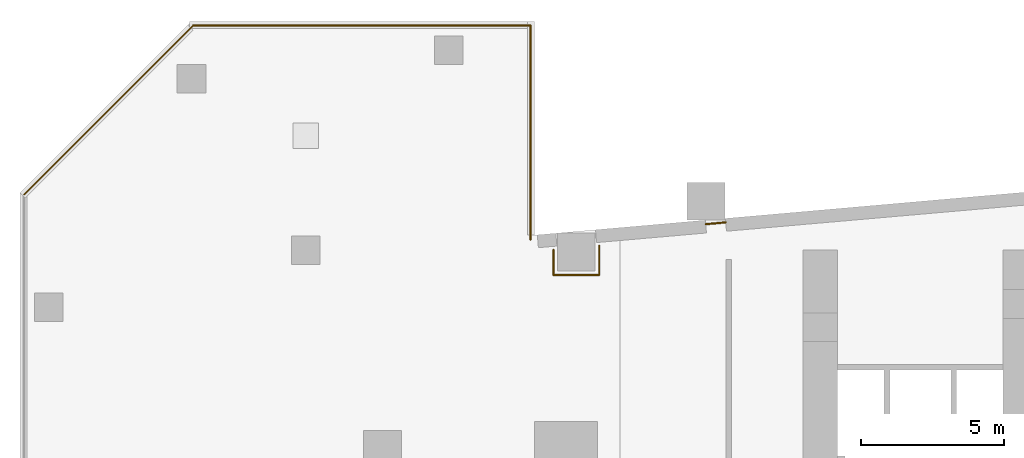
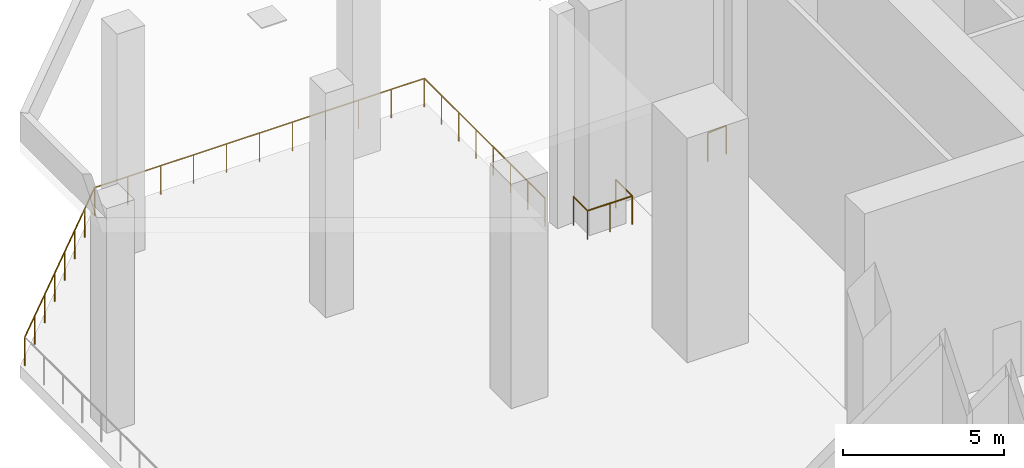
# One storey, part 31 of 33: 7 railings.
"""IFC4 building model written with IfcOpenShell, lengths in metres."""

from ifc_helpers import new_model, si_unit, direction, frame, origin, origin_2d, place, context, subcontext, project, spatial, circle, extrude, material, type_object, element, save


model = new_model("IFC4")

# Units and contexts
model_context = context("Model", 3, precision=1e-05, world=origin(), true_north=direction((0.0, 1.0)))
body_context = subcontext(model_context, "Body", "Model", "MODEL_VIEW")
ifc_project = project(units=[si_unit("LENGTHUNIT", "METRE"), si_unit("AREAUNIT", "SQUARE_METRE"), si_unit("VOLUMEUNIT", "CUBIC_METRE"), si_unit("PLANEANGLEUNIT", "RADIAN"), si_unit("MASSUNIT", "GRAM", prefix="KILO")], contexts=[model_context])

# Site, building, storey
site_placement = place(None, origin())
site = spatial("IfcSite", under=ifc_project, at=site_placement, CompositionType="ELEMENT")
building_placement = place(site_placement, origin())
building = spatial("IfcBuilding", under=site, at=building_placement, Name="Wharfspan Tower", CompositionType="ELEMENT")
storey_placement = place(building_placement, frame((0.0, 0.0, 33.0)))
storey = spatial("IfcBuildingStorey", under=building, at=storey_placement, Name="L05", CompositionType="ELEMENT", Elevation=33.0)

# Railings
ifc_material = material(Name="Steel S355J2", Category="steel")
railing_type = type_object("IfcRailingType", Name="GUARD 1100 STEEL AND GLASS", PredefinedType="GUARDRAIL", material=ifc_material)
railing_1_placement = place(storey_placement, frame((-11.860107, 49.941895, 0.0)))
element("IfcRailing", 1, at=railing_1_placement, inside=storey, type_object=railing_type, Name="Guard on the deck edge", PredefinedType="GUARDRAIL", context=body_context, shape_type="SweptSolid", body=[
    extrude(circle(Radius=0.024902, at=origin_2d()), frame((0.0, 0.0, 1.075195), z_axis=(0.707107, 0.707107, 0.0), x_axis=(-0.707107, 0.707107, 0.0)), (0.0, 0.0, 1.0), 8.369629),
    extrude(circle(Radius=0.02002, at=origin_2d()), origin(), (0.0, 0.0, 1.0), 1.050049),
    extrude(circle(Radius=0.02002, at=origin_2d()), frame((0.845459, 0.845459, 0.0)), (0.0, 0.0, 1.0), 1.050049),
    extrude(circle(Radius=0.02002, at=origin_2d()), frame((1.690918, 1.690918, 0.0)), (0.0, 0.0, 1.0), 1.050049),
    extrude(circle(Radius=0.02002, at=origin_2d()), frame((2.536377, 2.536377, 0.0)), (0.0, 0.0, 1.0), 1.050049),
    extrude(circle(Radius=0.02002, at=origin_2d()), frame((3.381836, 3.381836, 0.0)), (0.0, 0.0, 1.0), 1.050049),
    extrude(circle(Radius=0.02002, at=origin_2d()), frame((4.227295, 4.227295, 0.0)), (0.0, 0.0, 1.0), 1.050049),
    extrude(circle(Radius=0.02002, at=origin_2d()), frame((5.072754, 5.072754, 0.0)), (0.0, 0.0, 1.0), 1.050049),
    extrude(circle(Radius=0.02002, at=origin_2d()), frame((5.918213, 5.918213, 0.0)), (0.0, 0.0, 1.0), 1.050049),
])
railing_2_placement = place(storey_placement, frame((-5.941895, 55.860107, 0.0)))
element("IfcRailing", 2, at=railing_2_placement, inside=storey, type_object=railing_type, Name="Guard on the deck edge", PredefinedType="GUARDRAIL", context=body_context, shape_type="SweptSolid", body=[
    extrude(circle(Radius=0.024902, at=origin_2d()), frame((0.0, 0.0, 1.075195), z_axis=(1.0, 0.0, 0.0), x_axis=(0.0, 1.0, 0.0)), (0.0, 0.0, 1.0), 11.802002),
    extrude(circle(Radius=0.02002, at=origin_2d()), origin(), (0.0, 0.0, 1.0), 1.050049),
    extrude(circle(Radius=0.02002, at=origin_2d()), frame((1.180176, 0.0, 0.0)), (0.0, 0.0, 1.0), 1.050049),
    extrude(circle(Radius=0.02002, at=origin_2d()), frame((2.360352, 0.0, 0.0)), (0.0, 0.0, 1.0), 1.050049),
    extrude(circle(Radius=0.02002, at=origin_2d()), frame((3.540527, 0.0, 0.0)), (0.0, 0.0, 1.0), 1.050049),
    extrude(circle(Radius=0.02002, at=origin_2d()), frame((4.720703, 0.0, 0.0)), (0.0, 0.0, 1.0), 1.050049),
    extrude(circle(Radius=0.02002, at=origin_2d()), frame((5.900879, 0.0, 0.0)), (0.0, 0.0, 1.0), 1.050049),
    extrude(circle(Radius=0.02002, at=origin_2d()), frame((7.081299, 0.0, 0.0)), (0.0, 0.0, 1.0), 1.050049),
    extrude(circle(Radius=0.02002, at=origin_2d()), frame((8.261475, 0.0, 0.0)), (0.0, 0.0, 1.0), 1.050049),
    extrude(circle(Radius=0.02002, at=origin_2d()), frame((9.44165, 0.0, 0.0)), (0.0, 0.0, 1.0), 1.050049),
    extrude(circle(Radius=0.02002, at=origin_2d()), frame((10.621826, 0.0, 0.0)), (0.0, 0.0, 1.0), 1.050049),
    extrude(circle(Radius=0.02002, at=origin_2d()), frame((11.802002, 0.0, 0.0)), (0.0, 0.0, 1.0), 1.050049),
])
railing_3_placement = place(storey_placement, frame((5.860107, 55.860107, 0.0)))
element("IfcRailing", 3, at=railing_3_placement, inside=storey, type_object=railing_type, Name="Guard on the deck edge", PredefinedType="GUARDRAIL", context=body_context, shape_type="SweptSolid", body=[
    extrude(circle(Radius=0.024902, at=origin_2d()), frame((0.0, 0.0, 1.075195), z_axis=(0.0, -1.0, 0.0), x_axis=(1.0, 0.0, 0.0)), (0.0, 0.0, 1.0), 7.488037),
    extrude(circle(Radius=0.02002, at=origin_2d()), origin(), (0.0, 0.0, 1.0), 1.050049),
    extrude(circle(Radius=0.02002, at=origin_2d()), frame((0.0, -1.069824, 0.0)), (0.0, 0.0, 1.0), 1.050049),
    extrude(circle(Radius=0.02002, at=origin_2d()), frame((0.0, -2.139404, 0.0)), (0.0, 0.0, 1.0), 1.050049),
    extrude(circle(Radius=0.02002, at=origin_2d()), frame((0.0, -3.209229, 0.0)), (0.0, 0.0, 1.0), 1.050049),
    extrude(circle(Radius=0.02002, at=origin_2d()), frame((0.0, -4.278809, 0.0)), (0.0, 0.0, 1.0), 1.050049),
    extrude(circle(Radius=0.02002, at=origin_2d()), frame((0.0, -5.348633, 0.0)), (0.0, 0.0, 1.0), 1.050049),
    extrude(circle(Radius=0.02002, at=origin_2d()), frame((0.0, -6.418213, 0.0)), (0.0, 0.0, 1.0), 1.050049),
    extrude(circle(Radius=0.02002, at=origin_2d()), frame((0.0, -7.488037, 0.0)), (0.0, 0.0, 1.0), 1.050049),
])
railing_4_placement = place(storey_placement, frame((6.666504, 48.010986, 0.0)))
element("IfcRailing", 4, at=railing_4_placement, inside=storey, type_object=railing_type, Name="Guard on the deck edge", PredefinedType="GUARDRAIL", context=body_context, shape_type="SweptSolid", body=[
    extrude(circle(Radius=0.024902, at=origin_2d()), frame((0.0, 0.0, 1.075195), z_axis=(0.0, -1.0, 0.0), x_axis=(1.0, 0.0, 0.0)), (0.0, 0.0, 1.0), 0.877197),
    extrude(circle(Radius=0.02002, at=origin_2d()), origin(), (0.0, 0.0, 1.0), 1.050049),
    extrude(circle(Radius=0.02002, at=origin_2d()), frame((0.0, -0.877197, 0.0)), (0.0, 0.0, 1.0), 1.050049),
])
railing_5_placement = place(storey_placement, frame((6.666504, 47.133789, 0.0)))
element("IfcRailing", 5, at=railing_5_placement, inside=storey, type_object=railing_type, Name="Guard on the deck edge", PredefinedType="GUARDRAIL", context=body_context, shape_type="SweptSolid", body=[
    extrude(circle(Radius=0.024902, at=origin_2d()), frame((0.0, 0.0, 1.075195), z_axis=(1.0, 0.0, 0.0), x_axis=(0.0, 1.0, 0.0)), (0.0, 0.0, 1.0), 1.600098),
    extrude(circle(Radius=0.02002, at=origin_2d()), origin(), (0.0, 0.0, 1.0), 1.050049),
    extrude(circle(Radius=0.02002, at=origin_2d()), frame((0.800049, 0.0, 0.0)), (0.0, 0.0, 1.0), 1.050049),
    extrude(circle(Radius=0.02002, at=origin_2d()), frame((1.600098, 0.0, 0.0)), (0.0, 0.0, 1.0), 1.050049),
])
railing_6_placement = place(storey_placement, frame((8.266602, 47.133789, 0.0)))
element("IfcRailing", 6, at=railing_6_placement, inside=storey, type_object=railing_type, Name="Guard on the deck edge", PredefinedType="GUARDRAIL", context=body_context, shape_type="SweptSolid", body=[
    extrude(circle(Radius=0.024902, at=origin_2d()), frame((0.0, 0.0, 1.075195), z_axis=(0.0, 1.0, 0.0), x_axis=(-1.0, 0.0, 0.0)), (0.0, 0.0, 1.0), 1.017334),
    extrude(circle(Radius=0.02002, at=origin_2d()), origin(), (0.0, 0.0, 1.0), 1.050049),
    extrude(circle(Radius=0.02002, at=origin_2d()), frame((0.0, 1.017334, 0.0)), (0.0, 0.0, 1.0), 1.050049),
])
railing_7_placement = place(storey_placement, frame((11.992188, 48.908691, 0.0)))
element("IfcRailing", 7, at=railing_7_placement, inside=storey, type_object=railing_type, Name="Guard on the deck edge", PredefinedType="GUARDRAIL", context=body_context, shape_type="SweptSolid", body=[
    extrude(circle(Radius=0.024902, at=origin_2d()), frame((0.0, 0.0, 1.075195), z_axis=(0.99619, 0.087214, 0.0), x_axis=(-0.087214, 0.99619, 0.0)), (0.0, 0.0, 1.0), 0.702637),
    extrude(circle(Radius=0.02002, at=origin_2d()), origin(), (0.0, 0.0, 1.0), 1.050049),
    extrude(circle(Radius=0.02002, at=origin_2d()), frame((0.699951, 0.061279, 0.0)), (0.0, 0.0, 1.0), 1.050049),
])

save(model, "model.ifc")
